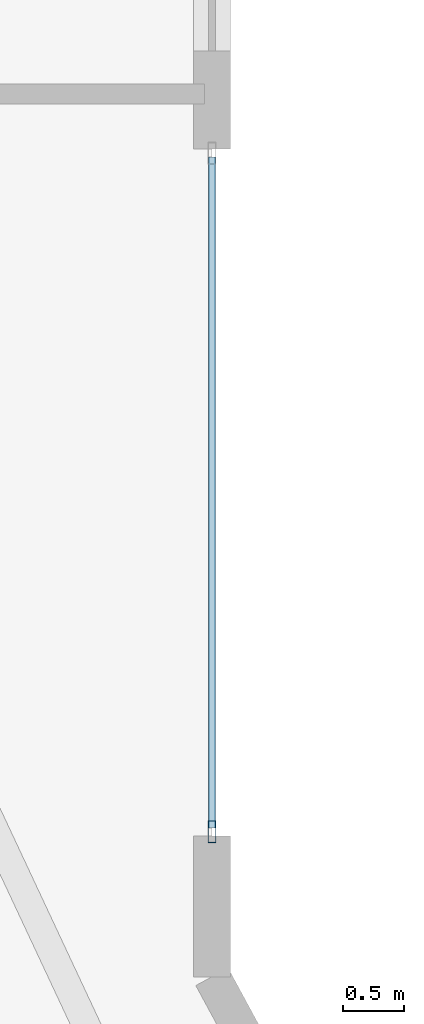
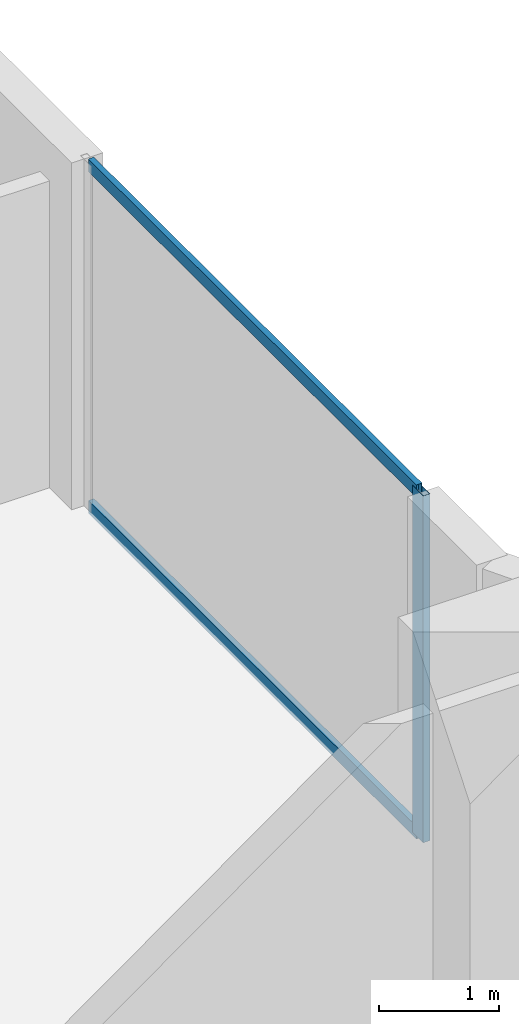
# One storey, part 14 of 32: 3 members, 1 element without a shape of its own.
"""IFC4 building model written with IfcOpenShell, lengths in metres."""

from ifc_helpers import new_model, si_unit, direction, frame, origin, origin_2d, place, context, subcontext, project, spatial, hollow_rectangle, extrude, material, layer, layer_set, material_profile, profile_set, type_object, element, aggregate, save


model = new_model("IFC4")

# Units and contexts
model_context = context("Model", 3, precision=1e-05, world=origin(), true_north=direction((0.0, 1.0)))
body_context = subcontext(model_context, "Body", "Model", "MODEL_VIEW")
ifc_project = project(units=[si_unit("LENGTHUNIT", "METRE"), si_unit("AREAUNIT", "SQUARE_METRE"), si_unit("VOLUMEUNIT", "CUBIC_METRE"), si_unit("PLANEANGLEUNIT", "RADIAN"), si_unit("MASSUNIT", "GRAM", prefix="KILO")], contexts=[model_context])

# Site, building, storey
site_placement = place(None, origin())
site = spatial("IfcSite", under=ifc_project, at=site_placement, CompositionType="ELEMENT")
building_placement = place(site_placement, origin())
building = spatial("IfcBuilding", under=site, at=building_placement, Name="Zuhayl Quay Hotel", CompositionType="ELEMENT")
storey_placement = place(building_placement, frame((0.0, 0.0, 181.14990234375)))
storey = spatial("IfcBuildingStorey", under=building, at=storey_placement, Name="L45", CompositionType="ELEMENT", Elevation=181.14990234375)

# Curtain wall, members
ifc_material_1 = material(Name="Anodised Aluminium 6063-T6", Category="aluminium")
ifc_layer = layer(ifc_material_1, 0.175048828125, Name="Anodised Aluminium 6063-T6", Category="aluminium")
ifc_layer_set = layer_set([ifc_layer], Name="Anodised Aluminium 6063-T6")
curtain_wall_type = type_object("IfcCurtainWallType", Name="CW_SYS_Z3", PredefinedType="USERDEFINED", material=ifc_layer_set)
curtain_wall_placement = place(storey_placement, origin())
curtain_wall = element("IfcCurtainWall", 1, at=curtain_wall_placement, inside=storey, type_object=curtain_wall_type, Name="L45 Curtain Wall ENV_L45_E11_CW1", ObjectType="UNITISED CURTAIN WALL", PredefinedType="USERDEFINED")
ifc_material_2 = material(Name="Black-anodised aluminium 6063-T6", Category="aluminium")
ifc_material_profile_1 = material_profile(ifc_material_2, hollow_rectangle(XDim=0.06494140625, YDim=0.179931640625, WallThickness=0.00341796875, at=origin_2d()), Name="ALU180X65")
ifc_profile_set_1 = profile_set([ifc_material_profile_1], Name="Black-anodised aluminium 6063-T6")
member_type_1 = type_object("IfcMemberType", Name="MB_CW_MUL_180", PredefinedType="MULLION", material=ifc_profile_set_1)
member_1_placement = place(storey_placement, frame((22.10009765625, 18.982421875, 0.0), z_axis=(0.0, 0.0, 1.0), x_axis=(1.0, 0.0, 0.0)))
member_1 = element("IfcMember", 2, at=member_1_placement, type_object=member_type_1, Name="CW-Z3 mullion 2", PredefinedType="MULLION", context=body_context, shape_type="SweptSolid", body=[
    extrude(hollow_rectangle(XDim=0.06494140625, YDim=0.179931640625, WallThickness=0.00341796875, at=origin_2d()), origin(), (0.0, 0.0, 1.0), 3.530029296875),
])
ifc_material_profile_2 = material_profile(ifc_material_2, hollow_rectangle(XDim=0.054931640625, YDim=0.1298828125, WallThickness=0.0029296875, at=origin_2d()), Name="ALU130X55")
ifc_profile_set_2 = profile_set([ifc_material_profile_2], Name="Black-anodised aluminium 6063-T6")
member_type_2 = type_object("IfcMemberType", Name="MB_CW_TRN_130", PredefinedType="USERDEFINED", material=ifc_profile_set_2)
member_2_placement = place(storey_placement, frame((22.10009765625, 24.485107421875, 0.027587890625), z_axis=(0.0, -1.0, 0.0), x_axis=(1.0, 0.0, 0.0)))
member_2 = element("IfcMember", 3, at=member_2_placement, type_object=member_type_2, Name="CW-Z3 transom 1.1", ObjectType="TRANSOM", PredefinedType="USERDEFINED", context=body_context, shape_type="SweptSolid", body=[
    extrude(hollow_rectangle(XDim=0.054931640625, YDim=0.1298828125, WallThickness=0.0029296875, at=origin_2d()), origin(), (0.0, 0.0, 1.0), 5.47021484375),
])
member_3_placement = place(storey_placement, frame((22.10009765625, 24.485107421875, 3.502685546875), z_axis=(0.0, -1.0, 0.0), x_axis=(1.0, 0.0, 0.0)))
member_3 = element("IfcMember", 4, at=member_3_placement, type_object=member_type_2, Name="CW-Z3 transom 1.2", ObjectType="TRANSOM", PredefinedType="USERDEFINED", context=body_context, shape_type="SweptSolid", body=[
    extrude(hollow_rectangle(XDim=0.054931640625, YDim=0.1298828125, WallThickness=0.0029296875, at=origin_2d()), origin(), (0.0, 0.0, 1.0), 5.47021484375),
])
aggregate(curtain_wall, [member_1, member_2, member_3])

save(model, "model.ifc")
